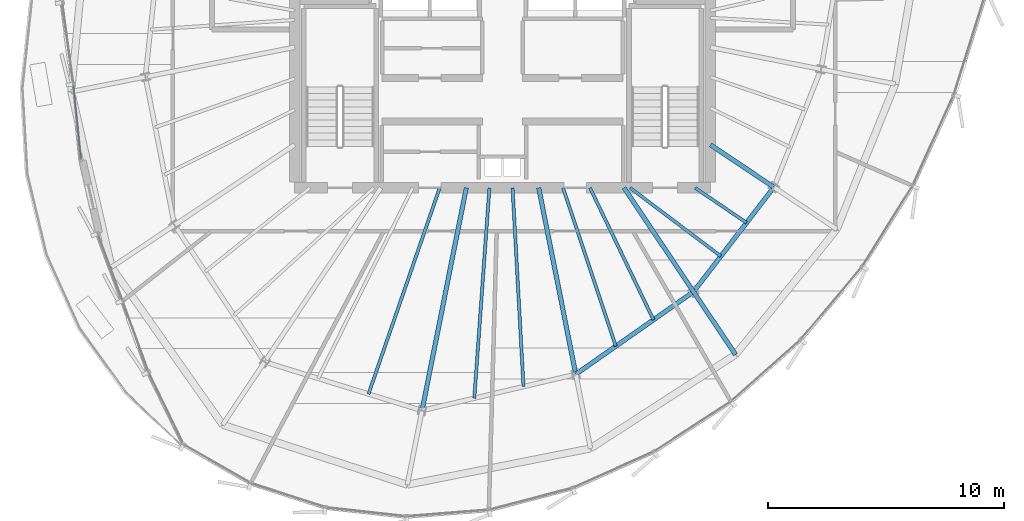
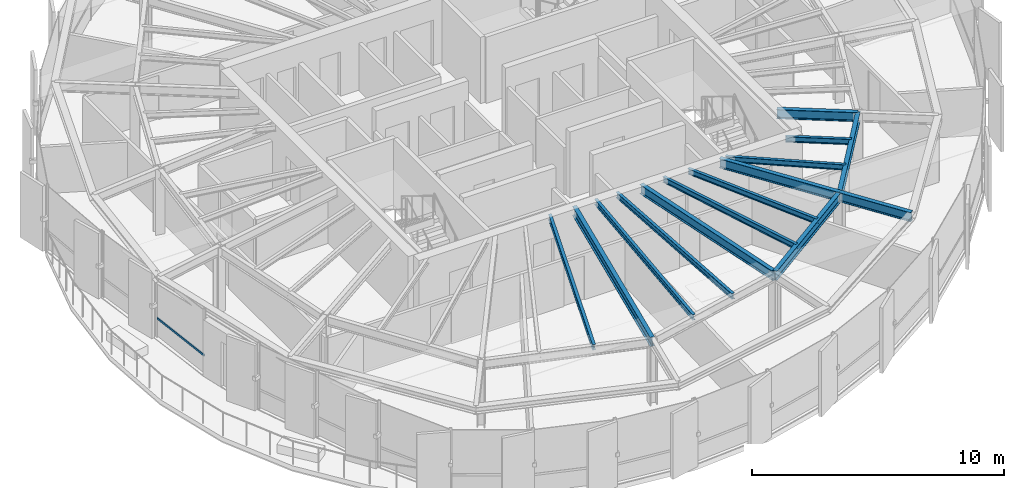
# One storey, part 8 of 32: 14 beams, 1 member, 1 element without a shape of its own.
"""IFC4 building model written with IfcOpenShell, lengths in metres."""

import ifcopenshell
import ifcopenshell.guid

model = None  # the IFC model being written
_history = None  # IfcOwnerHistory: only IFC2X3 demands one
_inside = {}  # id of a spatial element -> (the spatial element, [elements in it])
_under = {}  # id of a project, library or spatial element -> (it, [spatial elements below it])
_declared = {}  # id of a project -> (the project, [libraries it declares])
_typed = {}  # id of a type object -> (the type object, [elements of that type])
_made_of = {}  # id of a material, layer set ... -> (it, [elements and type objects made of it])


def new_model(schema):
    """Start an empty IFC model of exactly this schema.

    Asked for "IFC4X3", IfcOpenShell would pick the latest addendum, in which some entities
    have other attributes; the version numbers below select the first issue.
    IFC2X3 requires an IfcOwnerHistory on every rooted entity: one is made here for all.
    """
    global model, _history
    if schema == "IFC4X3":
        model = ifcopenshell.file(schema_version=(4, 3, 0, 0))
    else:
        model = ifcopenshell.file(schema=schema)
    _inside.clear()
    _under.clear()
    _declared.clear()
    _typed.clear()
    _made_of.clear()
    _history = None
    if model.schema == "IFC2X3":
        org = make("IfcOrganization", Name="unknown")
        user = make(
            "IfcPersonAndOrganization",
            ThePerson=make("IfcPerson", FamilyName="unknown"),
            TheOrganization=org,
        )
        app = make(
            "IfcApplication",
            ApplicationDeveloper=org,
            Version="unknown",
            ApplicationFullName="unknown",
            ApplicationIdentifier="unknown",
        )
        _history = make(
            "IfcOwnerHistory",
            OwningUser=user,
            OwningApplication=app,
            ChangeAction="ADDED",
            CreationDate=0,
        )
    return model


def make(cls, **values):
    """One entity of the class cls with the attributes given. An attribute that is None is left unset."""
    return model.create_entity(
        cls, **{name: value for name, value in values.items() if value is not None}
    )


def rooted(cls, **values):
    """An entity with a GlobalId (a new one), such as an element, a storey or a relation."""
    return make(cls, GlobalId=ifcopenshell.guid.new(), OwnerHistory=_history, **values)


def si_unit(unit_type, name, prefix=None):
    """IfcSIUnit, for example si_unit("LENGTHUNIT", "METRE", prefix="MILLI")."""
    return make("IfcSIUnit", UnitType=unit_type, Prefix=prefix, Name=name)


def assignment(units):
    """IfcUnitAssignment: the units of a project."""
    return None if units is None else make("IfcUnitAssignment", Units=units)


def point(xyz):
    """IfcCartesianPoint."""
    return None if xyz is None else make("IfcCartesianPoint", Coordinates=xyz)


def direction(xyz):
    """IfcDirection."""
    return None if xyz is None else make("IfcDirection", DirectionRatios=xyz)


def frame(location, z_axis=None, x_axis=None):
    """IfcAxis2Placement3D, a coordinate frame: its origin and axes. An axis left out is left unset."""
    return make(
        "IfcAxis2Placement3D",
        Location=point(location),
        Axis=direction(z_axis),
        RefDirection=direction(x_axis),
    )


def frame_2d(location, x_axis=None):
    """IfcAxis2Placement2D, a coordinate frame in the plane: its origin and x axis."""
    return make(
        "IfcAxis2Placement2D", Location=point(location), RefDirection=direction(x_axis)
    )


def origin():
    """The frame at (0, 0, 0) with its axes left unset."""
    return frame((0.0, 0.0, 0.0))


def origin_2d():
    """The frame at (0, 0) in the plane with its x axis left unset."""
    return frame_2d((0.0, 0.0))


def place(relative_to, where):
    """IfcLocalPlacement: puts the frame where relative to a parent placement (None: the world)."""
    return make(
        "IfcLocalPlacement", PlacementRelTo=relative_to, RelativePlacement=where
    )


def context(
    kind, dimensions, precision=None, world=None, true_north=None, identifier=None
):
    """IfcGeometricRepresentationContext, for example the 3D "Model" context."""
    return make(
        "IfcGeometricRepresentationContext",
        ContextIdentifier=identifier,
        ContextType=kind,
        CoordinateSpaceDimension=dimensions,
        Precision=precision,
        WorldCoordinateSystem=world,
        TrueNorth=true_north,
    )


def subcontext(parent, identifier, kind, view, scale=None):
    """IfcGeometricRepresentationSubContext, for example "Body" below "Model"."""
    return make(
        "IfcGeometricRepresentationSubContext",
        ContextIdentifier=identifier,
        ContextType=kind,
        ParentContext=parent,
        TargetScale=scale,
        TargetView=view,
    )


def project(units=None, contexts=None):
    """IfcProject with its units and contexts."""
    return rooted(
        "IfcProject",
        Name="project",
        RepresentationContexts=contexts,
        UnitsInContext=assignment(units),
    )


def spatial(cls, under=None, at=None, **own):
    """A site, building, storey or space (cls), placed at a placement, below another one or the project."""
    s = rooted(cls, ObjectPlacement=at, **own)
    if under is not None:
        _under.setdefault(under.id(), (under, []))[1].append(s)
    return s


def profile(cls, at=None, kind="AREA", **sizes):
    """A parametric profile (cls). Its sizes go by their IFC names, for example OverallWidth=200.0."""
    return make(cls, ProfileType=kind, Position=at, **sizes)


def hollow_rectangle(**sizes):
    """IfcRectangleHollowProfileDef."""
    return profile("IfcRectangleHollowProfileDef", **sizes)


def i_section(**sizes):
    """IfcIShapeProfileDef."""
    return profile("IfcIShapeProfileDef", **sizes)


def extrude(swept, where, along, depth):
    """IfcExtrudedAreaSolid: the profile swept, set in the frame where, extruded along a direction by depth."""
    return make(
        "IfcExtrudedAreaSolid",
        SweptArea=swept,
        Position=where,
        ExtrudedDirection=direction(along),
        Depth=depth,
    )


def shape(context_of_items, identifier, shape_type, items):
    """IfcShapeRepresentation: the items that make up one representation, for example the "Body"."""
    return make(
        "IfcShapeRepresentation",
        ContextOfItems=context_of_items,
        RepresentationIdentifier=identifier,
        RepresentationType=shape_type,
        Items=items,
    )


def source(mapping_origin, context_of_items, identifier, shape_type, items):
    """IfcRepresentationMap: a shape defined once, which mapped items show again and again."""
    return make(
        "IfcRepresentationMap",
        MappingOrigin=mapping_origin,
        MappedRepresentation=shape(context_of_items, identifier, shape_type, items),
    )


def transform(
    local_origin,
    x_axis=None,
    y_axis=None,
    z_axis=None,
    scale=None,
    scale2=None,
    scale3=None,
    uniform=True,
):
    """IfcCartesianTransformationOperator3D, or its non-uniform kind. x_axis, y_axis, z_axis: its Axis1, 2, 3."""
    if uniform:
        return make(
            "IfcCartesianTransformationOperator3D",
            Axis1=direction(x_axis),
            Axis2=direction(y_axis),
            LocalOrigin=point(local_origin),
            Scale=scale,
            Axis3=direction(z_axis),
        )
    return make(
        "IfcCartesianTransformationOperator3DnonUniform",
        Axis1=direction(x_axis),
        Axis2=direction(y_axis),
        LocalOrigin=point(local_origin),
        Scale=scale,
        Axis3=direction(z_axis),
        Scale2=scale2,
        Scale3=scale3,
    )


def mapped(mapping_source, mapping_target):
    """IfcMappedItem: shows the shape of a source again, moved by a transform."""
    return make(
        "IfcMappedItem", MappingSource=mapping_source, MappingTarget=mapping_target
    )


def material(Name=None, Category=None):
    """IfcMaterial."""
    return make("IfcMaterial", Name=Name, Category=Category)


def layer(
    of_material, thickness, ventilated=None, Name=None, Category=None, Priority=None
):
    """IfcMaterialLayer: one layer of a wall or slab, of a material (None: an air gap)."""
    return make(
        "IfcMaterialLayer",
        Material=of_material,
        LayerThickness=thickness,
        IsVentilated=ventilated,
        Name=Name,
        Category=Category,
        Priority=Priority,
    )


def layer_set(layers, Name=None):
    """IfcMaterialLayerSet."""
    return make("IfcMaterialLayerSet", MaterialLayers=layers, LayerSetName=Name)


def material_profile(
    of_material, cross_section, Name=None, Category=None, Priority=None
):
    """IfcMaterialProfile: a cross section and its material."""
    return make(
        "IfcMaterialProfile",
        Name=Name,
        Material=of_material,
        Profile=cross_section,
        Priority=Priority,
        Category=Category,
    )


def profile_set(profiles, Name=None, composite=None):
    """IfcMaterialProfileSet."""
    return make(
        "IfcMaterialProfileSet",
        Name=Name,
        MaterialProfiles=profiles,
        CompositeProfile=composite,
    )


def made_of(thing, what):
    """Note that an element or type object is made of a material, layer set ...; save() writes the relation."""
    if what is not None:
        _made_of.setdefault(what.id(), (what, []))[1].append(thing)
    return thing


def type_object(cls, material=None, **own):
    """A type object (cls), such as IfcWallType, which elements share."""
    return made_of(rooted(cls, **own), material)


def element(
    cls,
    number,
    at=None,
    inside=None,
    cuts=None,
    type_object=None,
    material=None,
    context=None,
    identifier="Body",
    shape_type=None,
    held_by="IfcProductDefinitionShape",
    body=None,
    shapes=None,
    **own,
):
    """One element of the class cls, such as IfcWall. Its Tag is "e" and its number.

    at: its placement. inside: the storey or other place that contains it. cuts: it is an
    opening in that element (IfcRelVoidsElement). A single representation is given by context,
    identifier, shape_type and body (its items); several are given by shapes. held_by: the class
    of the entity that holds the representations. save() writes the other relations.
    """
    e = rooted(cls, Tag="e%d" % number, ObjectPlacement=at, **own)
    if body is not None:
        shapes = [shape(context, identifier, shape_type, body)]
    if shapes is not None:
        e.Representation = make(held_by, Representations=shapes)
    if inside is not None:
        _inside.setdefault(inside.id(), (inside, []))[1].append(e)
    if cuts is not None:
        rooted(
            "IfcRelVoidsElement", RelatingBuildingElement=cuts, RelatedOpeningElement=e
        )
    if type_object is not None:
        _typed.setdefault(type_object.id(), (type_object, []))[1].append(e)
    return made_of(e, material)


def aggregate(whole, parts):
    """IfcRelAggregates: a whole, such as a stair, and the parts it consists of."""
    return rooted("IfcRelAggregates", RelatingObject=whole, RelatedObjects=parts)


def save(model, path):
    """Write the relations noted so far, then the file.

    IfcRelAggregates (storeys below a building ...), IfcRelContainedInSpatialStructure (elements
    in a storey), IfcRelDefinesByType, IfcRelAssociatesMaterial and IfcRelDeclares: one each for
    every whole, place, type object, material and project.
    """
    for whole, parts in _under.values():
        aggregate(whole, parts)
    for where, things in _inside.values():
        rooted(
            "IfcRelContainedInSpatialStructure",
            RelatedElements=things,
            RelatingStructure=where,
        )
    for kind, things in _typed.values():
        rooted("IfcRelDefinesByType", RelatedObjects=things, RelatingType=kind)
    for what, things in _made_of.values():
        rooted("IfcRelAssociatesMaterial", RelatedObjects=things, RelatingMaterial=what)
    for by, libraries in _declared.values():
        rooted("IfcRelDeclares", RelatingContext=by, RelatedDefinitions=libraries)
    model.write(path)


model = new_model("IFC4")

# Units and contexts
model_context = context("Model", 3, precision=1e-05, world=origin(), true_north=direction((0.0, 1.0)))
body_context = subcontext(model_context, "Body", "Model", "MODEL_VIEW")
ifc_project = project(units=[si_unit("LENGTHUNIT", "METRE"), si_unit("AREAUNIT", "SQUARE_METRE"), si_unit("VOLUMEUNIT", "CUBIC_METRE"), si_unit("PLANEANGLEUNIT", "RADIAN"), si_unit("MASSUNIT", "GRAM", prefix="KILO"), si_unit("THERMODYNAMICTEMPERATUREUNIT", "KELVIN")], contexts=[model_context])

# Site, building, storey
site_placement = place(None, origin())
site = spatial("IfcSite", under=ifc_project, at=site_placement, CompositionType="ELEMENT")
building_placement = place(site_placement, origin())
building = spatial("IfcBuilding", under=site, at=building_placement, Name="Kethvar Cultural Tower", CompositionType="ELEMENT")
storey_placement = place(building_placement, frame((0.0, 0.0, 252.550048828125)))
storey = spatial("IfcBuildingStorey", under=building, at=storey_placement, Name="L66", CompositionType="ELEMENT", Elevation=252.550048828125)

# Beams
ifc_material_1 = material(Name="Steel S355J2", Category="steel")
ifc_material_profile_1 = material_profile(ifc_material_1, i_section(OverallWidth=0.18994140625, OverallDepth=0.449951171875, WebThickness=0.009521484375, FlangeThickness=0.0146484375, FilletRadius=0.02099609375, at=origin_2d()), Name="Steel S355J2 — IPE450")
ifc_profile_set_1 = profile_set([ifc_material_profile_1], Name="Steel S355J2 — IPE450")
beam_type_1 = type_object("IfcBeamType", Name="BM-IPE450", PredefinedType="BEAM", material=ifc_profile_set_1)
shared_shape_1 = source(origin(), body_context, "Body", "SweptSolid", [
    extrude(i_section(OverallWidth=0.18994140625, OverallDepth=0.449951171875, WebThickness=0.009521484375, FlangeThickness=0.0146484375, FilletRadius=0.02099609375, at=origin_2d()), origin(), (0.0, 0.0, 1.0), 3.199951171875),
])
beam_1_placement = place(storey_placement, frame((54.885009765625, 15.7001953125, 2.98291015625), z_axis=(0.555492222339, -0.83152173208, 0.0), x_axis=(0.83152173208, 0.555492222339, 0.0)))
element("IfcBeam", 1, at=beam_1_placement, inside=storey, type_object=beam_type_1, Name="L66 Perimeter Cantilever Beam RC-14", PredefinedType="BEAM", context=body_context, shape_type="MappedRepresentation", body=[
    mapped(shared_shape_1, transform((0.0, 0.0, 0.0), scale=1.0)),
])
shared_shape_2 = source(origin(), body_context, "Body", "SweptSolid", [
    extrude(i_section(OverallWidth=0.18994140625, OverallDepth=0.449951171875, WebThickness=0.009521484375, FlangeThickness=0.0146484375, FilletRadius=0.02099609375, at=origin_2d()), origin(), (0.0, 0.0, 1.0), 9.613525390625),
])
beam_2_placement = place(storey_placement, frame((45.268310546875, 20.10009765625, 2.98291015625), z_axis=(-0.195090428816, -0.980785259159, 0.0), x_axis=(0.980785259159, -0.195090428816, 0.0)))
element("IfcBeam", 2, at=beam_2_placement, inside=storey, type_object=beam_type_1, Name="L66 Primary Radial Beam RB-12", PredefinedType="BEAM", context=body_context, shape_type="MappedRepresentation", body=[
    mapped(shared_shape_2, transform((0.0, 0.0, 0.0), scale=1.0)),
])
shared_shape_3 = source(origin(), body_context, "Body", "SweptSolid", [
    extrude(i_section(OverallWidth=0.18994140625, OverallDepth=0.449951171875, WebThickness=0.009521484375, FlangeThickness=0.0146484375, FilletRadius=0.02099609375, at=origin_2d()), origin(), (0.0, 0.0, 1.0), 8.0478515625),
])
beam_3_placement = place(storey_placement, frame((48.33154296875, 20.10009765625, 2.98291015625), z_axis=(0.195089278796, -0.980785487912, 0.0), x_axis=(0.980785487912, 0.195089278796, 0.0)))
element("IfcBeam", 3, at=beam_3_placement, inside=storey, type_object=beam_type_1, Name="L66 Primary Radial Beam RB-13", PredefinedType="BEAM", context=body_context, shape_type="MappedRepresentation", body=[
    mapped(shared_shape_3, transform((0.0, 0.0, 0.0), scale=1.0)),
])
shared_shape_4 = source(origin(), body_context, "Body", "SweptSolid", [
    extrude(i_section(OverallWidth=0.18994140625, OverallDepth=0.449951171875, WebThickness=0.009521484375, FlangeThickness=0.0146484375, FilletRadius=0.02099609375, at=origin_2d()), origin(), (0.0, 0.0, 1.0), 5.291748046875),
])
beam_4_placement = place(storey_placement, frame((51.945068359375, 20.10009765625, 2.98291015625), z_axis=(0.555572931011, -0.831467809556, 0.0), x_axis=(0.831467809556, 0.555572931011, 0.0)))
element("IfcBeam", 4, at=beam_4_placement, inside=storey, type_object=beam_type_1, Name="L66 Primary Radial Beam RB-14", PredefinedType="BEAM", context=body_context, shape_type="MappedRepresentation", body=[
    mapped(shared_shape_4, transform((0.0, 0.0, 0.0), scale=1.0)),
])
shared_shape_5 = source(origin(), body_context, "Body", "SweptSolid", [
    extrude(i_section(OverallWidth=0.18994140625, OverallDepth=0.449951171875, WebThickness=0.009521484375, FlangeThickness=0.0146484375, FilletRadius=0.02099609375, at=origin_2d()), origin(), (0.0, 0.0, 1.0), 3.231689453125),
])
beam_5_placement = place(storey_placement, frame((55.60009765625, 21.919921875, 2.98291015625), z_axis=(0.831468708055, -0.55557158632, 0.0), x_axis=(0.55557158632, 0.831468708055, 0.0)))
element("IfcBeam", 5, at=beam_5_placement, inside=storey, type_object=beam_type_1, Name="L66 Primary Radial Beam RB-15", PredefinedType="BEAM", context=body_context, shape_type="MappedRepresentation", body=[
    mapped(shared_shape_5, transform((0.0, 0.0, 0.0), scale=1.0)),
])
ifc_material_profile_2 = material_profile(ifc_material_1, i_section(OverallWidth=0.135009765625, OverallDepth=0.27001953125, WebThickness=0.006591796875, FlangeThickness=0.01025390625, FilletRadius=0.014892578125, at=origin_2d()), Name="Steel S355J2 — IPE270")
ifc_profile_set_2 = profile_set([ifc_material_profile_2], Name="Steel S355J2 — IPE270")
beam_type_2 = type_object("IfcBeamType", Name="BM-J270", PredefinedType="JOIST", material=ifc_profile_set_2)
shared_shape_6 = source(origin(), body_context, "Body", "SweptSolid", [
    extrude(i_section(OverallWidth=0.135009765625, OverallDepth=0.27001953125, WebThickness=0.006591796875, FlangeThickness=0.01025390625, FilletRadius=0.014892578125, at=origin_2d()), origin(), (0.0, 0.0, 1.0), 9.234130859375),
])
beam_6_placement = place(storey_placement, frame((44.1416015625, 20.10009765625, 3.072998046875), z_axis=(-0.326362208058, -0.945244787953, 0.0), x_axis=(0.945244787953, -0.326362208058, 0.0)))
element("IfcBeam", 6, at=beam_6_placement, inside=storey, type_object=beam_type_2, Name="L66 Composite Floor Joist J-11B", PredefinedType="JOIST", context=body_context, shape_type="MappedRepresentation", body=[
    mapped(shared_shape_6, transform((0.0, 0.0, 0.0), scale=1.0)),
])
shared_shape_7 = source(origin(), body_context, "Body", "SweptSolid", [
    extrude(i_section(OverallWidth=0.135009765625, OverallDepth=0.27001953125, WebThickness=0.006591796875, FlangeThickness=0.01025390625, FilletRadius=0.014892578125, at=origin_2d()), origin(), (0.0, 0.0, 1.0), 8.9296875),
])
beam_7_placement = place(storey_placement, frame((46.246337890625, 20.10009765625, 3.072998046875), z_axis=(-0.071713352262, -0.99742528297, 0.0), x_axis=(0.99742528297, -0.071713352262, 0.0)))
element("IfcBeam", 7, at=beam_7_placement, inside=storey, type_object=beam_type_2, Name="L66 Composite Floor Joist J-12A", PredefinedType="JOIST", context=body_context, shape_type="MappedRepresentation", body=[
    mapped(shared_shape_7, transform((0.0, 0.0, 0.0), scale=1.0)),
])
shared_shape_8 = source(origin(), body_context, "Body", "SweptSolid", [
    extrude(i_section(OverallWidth=0.135009765625, OverallDepth=0.27001953125, WebThickness=0.006591796875, FlangeThickness=0.01025390625, FilletRadius=0.014892578125, at=origin_2d()), origin(), (0.0, 0.0, 1.0), 8.427978515625),
])
beam_8_placement = place(storey_placement, frame((47.224609375, 20.10009765625, 3.072998046875), z_axis=(0.055067321535, -0.998482643865, 0.0), x_axis=(0.998482643865, 0.055067321535, 0.0)))
element("IfcBeam", 8, at=beam_8_placement, inside=storey, type_object=beam_type_2, Name="L66 Composite Floor Joist J-12B", PredefinedType="JOIST", context=body_context, shape_type="MappedRepresentation", body=[
    mapped(shared_shape_8, transform((0.0, 0.0, 0.0), scale=1.0)),
])
shared_shape_9 = source(origin(), body_context, "Body", "SweptSolid", [
    extrude(i_section(OverallWidth=0.18994140625, OverallDepth=0.449951171875, WebThickness=0.009521484375, FlangeThickness=0.0146484375, FilletRadius=0.02099609375, at=origin_2d()), origin(), (0.0, 0.0, 1.0), 6.0859375),
])
beam_9_placement = place(storey_placement, frame((49.901611328125, 12.206787109375, 2.98291015625), z_axis=(0.818843498091, 0.57401683393, 0.0), x_axis=(-0.57401683393, 0.818843498091, 0.0)))
element("IfcBeam", 9, at=beam_9_placement, inside=storey, type_object=beam_type_1, Name="L66 Column Ring Tie Beam CR-13", PredefinedType="BEAM", context=body_context, shape_type="MappedRepresentation", body=[
    mapped(shared_shape_9, transform((0.0, 0.0, 0.0), scale=1.0)),
])
shared_shape_10 = source(origin(), body_context, "Body", "SweptSolid", [
    extrude(i_section(OverallWidth=0.135009765625, OverallDepth=0.27001953125, WebThickness=0.006591796875, FlangeThickness=0.01025390625, FilletRadius=0.014892578125, at=origin_2d()), origin(), (0.0, 0.0, 1.0), 7.0673828125),
])
beam_10_placement = place(storey_placement, frame((49.363525390625, 20.10009765625, 3.072998046875), z_axis=(0.315875389768, -0.948800684095, 0.0), x_axis=(0.948800684095, 0.315875389768, 0.0)))
element("IfcBeam", 10, at=beam_10_placement, inside=storey, type_object=beam_type_2, Name="L66 Composite Floor Joist J-13A", PredefinedType="JOIST", context=body_context, shape_type="MappedRepresentation", body=[
    mapped(shared_shape_10, transform((0.0, 0.0, 0.0), scale=1.0)),
])
shared_shape_11 = source(origin(), body_context, "Body", "SweptSolid", [
    extrude(i_section(OverallWidth=0.135009765625, OverallDepth=0.27001953125, WebThickness=0.006591796875, FlangeThickness=0.01025390625, FilletRadius=0.014892578125, at=origin_2d()), origin(), (0.0, 0.0, 1.0), 6.2001953125),
])
beam_11_placement = place(storey_placement, frame((50.50341796875, 20.10009765625, 3.072998046875), z_axis=(0.433410678328, -0.901196529017, 0.0), x_axis=(0.901196529017, 0.433410678328, 0.0)))
element("IfcBeam", 11, at=beam_11_placement, inside=storey, type_object=beam_type_2, Name="L66 Composite Floor Joist J-13B", PredefinedType="JOIST", context=body_context, shape_type="MappedRepresentation", body=[
    mapped(shared_shape_11, transform((0.0, 0.0, 0.0), scale=1.0)),
])
shared_shape_12 = source(origin(), body_context, "Body", "SweptSolid", [
    extrude(i_section(OverallWidth=0.18994140625, OverallDepth=0.449951171875, WebThickness=0.009521484375, FlangeThickness=0.0146484375, FilletRadius=0.02099609375, at=origin_2d()), origin(), (0.0, 0.0, 1.0), 5.5810546875),
])
beam_12_placement = place(storey_placement, frame((54.885009765625, 15.7001953125, 2.98291015625), z_axis=(0.60957334008, 0.79272967843, 0.0), x_axis=(-0.79272967843, 0.60957334008, 0.0)))
element("IfcBeam", 12, at=beam_12_placement, inside=storey, type_object=beam_type_1, Name="L66 Column Ring Tie Beam CR-14", PredefinedType="BEAM", context=body_context, shape_type="MappedRepresentation", body=[
    mapped(shared_shape_12, transform((0.0, 0.0, 0.0), scale=1.0)),
])
shared_shape_13 = source(origin(), body_context, "Body", "SweptSolid", [
    extrude(i_section(OverallWidth=0.135009765625, OverallDepth=0.27001953125, WebThickness=0.006591796875, FlangeThickness=0.01025390625, FilletRadius=0.014892578125, at=origin_2d()), origin(), (0.0, 0.0, 1.0), 4.810791015625),
])
beam_13_placement = place(storey_placement, frame((52.199951171875, 20.10009765625, 3.072998046875), z_axis=(0.798542152732, -0.601938892505, 0.0), x_axis=(0.601938892505, 0.798542152732, 0.0)))
element("IfcBeam", 13, at=beam_13_placement, inside=storey, type_object=beam_type_2, Name="L66 Composite Floor Joist J-14A", PredefinedType="JOIST", context=body_context, shape_type="MappedRepresentation", body=[
    mapped(shared_shape_13, transform((0.0, 0.0, 0.0), scale=1.0)),
])
shared_shape_14 = source(origin(), body_context, "Body", "SweptSolid", [
    extrude(i_section(OverallWidth=0.135009765625, OverallDepth=0.27001953125, WebThickness=0.006591796875, FlangeThickness=0.01025390625, FilletRadius=0.014892578125, at=origin_2d()), origin(), (0.0, 0.0, 1.0), 2.635009765625),
])
beam_14_placement = place(storey_placement, frame((54.949951171875, 20.10009765625, 3.072998046875), z_axis=(0.827446562598, -0.561544464887, 0.0), x_axis=(0.561544464887, 0.827446562598, 0.0)))
element("IfcBeam", 14, at=beam_14_placement, inside=storey, type_object=beam_type_2, Name="L66 Composite Floor Joist J-14B", PredefinedType="JOIST", context=body_context, shape_type="MappedRepresentation", body=[
    mapped(shared_shape_14, transform((0.0, 0.0, 0.0), scale=1.0)),
])

# Curtain wall, member
ifc_material_2 = material(Name="Aluminium 6063-T6", Category="aluminium")
ifc_layer = layer(ifc_material_2, 0.179931640625, Name="Aluminium 6063-T6", Category="aluminium")
ifc_layer_set = layer_set([ifc_layer], Name="Aluminium 6063-T6 (180 mm)")
curtain_wall_type = type_object("IfcCurtainWallType", Name="CW-SYS-05-Z56", PredefinedType="NOTDEFINED", material=ifc_layer_set)
curtain_wall_placement = place(storey_placement, origin())
curtain_wall = element("IfcCurtainWall", 15, at=curtain_wall_placement, inside=storey, type_object=curtain_wall_type, Name="L66 Curtain Wall Run 03", PredefinedType="NOTDEFINED")
ifc_material_profile_3 = material_profile(ifc_material_2, hollow_rectangle(XDim=0.050048828125, YDim=0.10009765625, WallThickness=0.00390625, at=origin_2d()), Name="Aluminium 6063-T6 — RHS100x50x4")
ifc_profile_set_3 = profile_set([ifc_material_profile_3], Name="Aluminium 6063-T6 — RHS100x50x4")
member_type = type_object("IfcMemberType", Name="CW-SYS-05-Z56-TRN", PredefinedType="USERDEFINED", material=ifc_profile_set_3)
shared_shape_15 = source(origin(), body_context, "Body", "SweptSolid", [
    extrude(hollow_rectangle(XDim=0.050048828125, YDim=0.10009765625, WallThickness=0.00390625, at=origin_2d()), origin(), (0.0, 0.0, 1.0), 3.18896484375),
])
member_placement = place(storey_placement, frame((28.635498046875, 24.4423828125, 0.949951171875), z_axis=(0.103353626094, -0.99464467423, 0.0), x_axis=(0.99464467423, 0.103353626094, 0.0)))
member = element("IfcMember", 16, at=member_placement, type_object=member_type, Name="CW-L66-R03 Transom 2", ObjectType="TRANSOM", PredefinedType="USERDEFINED", context=body_context, shape_type="MappedRepresentation", body=[
    mapped(shared_shape_15, transform((0.0, 0.0, 0.0), scale=1.0)),
])
aggregate(curtain_wall, [member])

save(model, "model.ifc")
